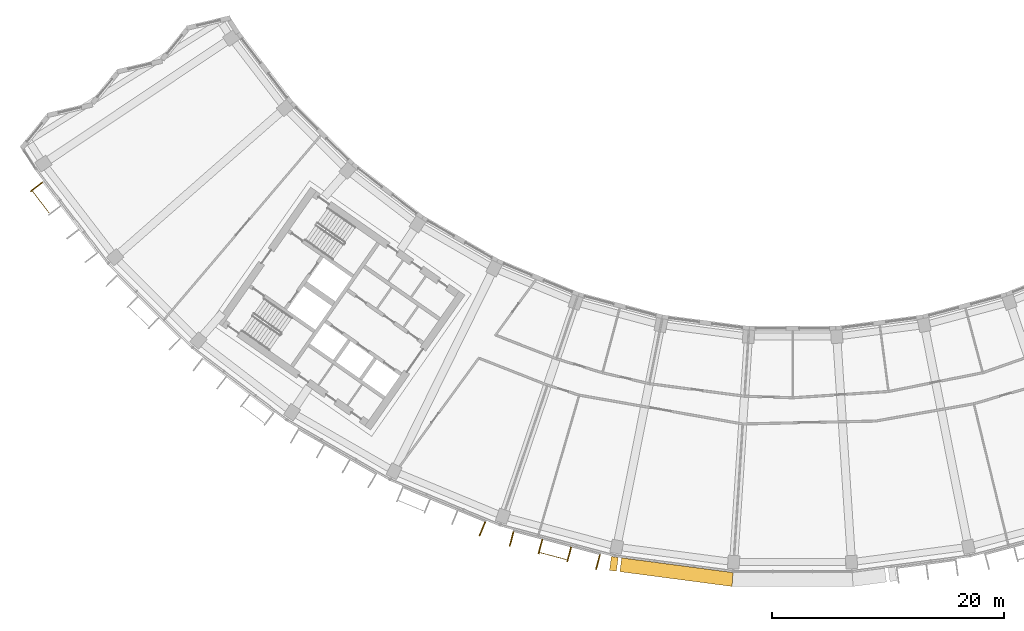
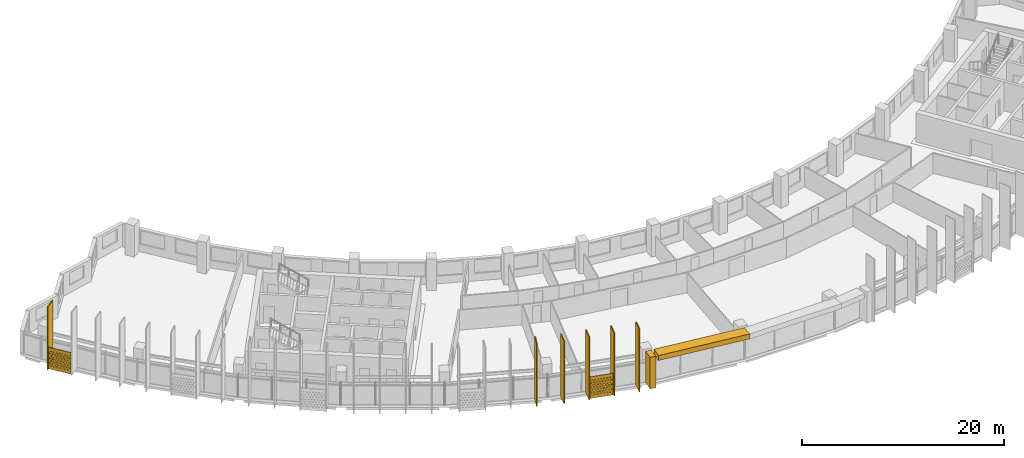
# One storey, part 25 of 28: 10 shading devices.
"""IFC4 building model written with IfcOpenShell, lengths in metres."""

from ifc_helpers import new_model, si_unit, direction, frame, origin, origin_2d, place, context, subcontext, project, spatial, polyline, rectangle, outline, extrude, material, material_profile, profile_set, type_object, element, save


model = new_model("IFC4")

# Units and contexts
model_context = context("Model", 3, precision=1e-05, world=origin(), true_north=direction((0.0, 1.0)))
body_context = subcontext(model_context, "Body", "Model", "MODEL_VIEW")
ifc_project = project(units=[si_unit("LENGTHUNIT", "METRE"), si_unit("AREAUNIT", "SQUARE_METRE"), si_unit("VOLUMEUNIT", "CUBIC_METRE"), si_unit("PLANEANGLEUNIT", "RADIAN"), si_unit("MASSUNIT", "GRAM", prefix="KILO")], contexts=[model_context])

# Site, building, storey
site_placement = place(None, origin())
site = spatial("IfcSite", under=ifc_project, at=site_placement, CompositionType="ELEMENT")
building_placement = place(site_placement, origin())
building = spatial("IfcBuilding", under=site, at=building_placement, Name="Qamariyya Broadcast Tower", CompositionType="ELEMENT")
storey_placement = place(building_placement, frame((0.0, 0.0, 218.89990234375)))
storey = spatial("IfcBuildingStorey", under=building, at=storey_placement, Name="L52", CompositionType="ELEMENT", Elevation=218.89990234375)

# Shading devices
ifc_material_1 = material(Name="Steel S355 powder coated deep red", Category="steel")
shading_device_type_1 = type_object("IfcShadingDeviceType", Name="Deep red frame, powder coated steel box section", PredefinedType="USERDEFINED", material=ifc_material_1)
shading_device_1_placement = place(storey_placement, origin())
element("IfcShadingDevice", 1, at=shading_device_1_placement, inside=storey, type_object=shading_device_type_1, Name="e-frm-B4-F2-posta-L52", ObjectType="FRAME", PredefinedType="USERDEFINED", context=body_context, shape_type="SweptSolid", body=[
    extrude(outline(polyline([(-15.641357421875, -77.099609375), (-15.7978515625, -78.289306640625), (-15.203125, -78.36767578125), (-15.04638671875, -77.177978515625), (-15.641357421875, -77.099609375)])), origin(), (0.0, 0.0, 1.0), 3.800048828125),
])
shading_device_2_placement = place(storey_placement, frame((0.0, 0.0, 3.2001953125)))
element("IfcShadingDevice", 2, at=shading_device_2_placement, inside=storey, type_object=shading_device_type_1, Name="e-frm-B4-F2-top0", ObjectType="FRAME", PredefinedType="USERDEFINED", context=body_context, shape_type="SweptSolid", body=[
    extrude(outline(polyline([(-14.7490234375, -77.217041015625), (-14.905517578125, -78.40673828125), (-5.22265625, -79.681640625), (-5.14404296875, -78.481689453125), (-14.7490234375, -77.217041015625)])), origin(), (0.0, 0.0, 1.0), 0.599853515625),
])
ifc_material_2 = material(Name="Perforated glazed terracotta", Category="masonry")
ifc_material_profile_1 = material_profile(ifc_material_2, outline(polyline([(-1.199951171875, -1.300048828125), (1.199951171875, -1.300048828125), (1.199951171875, 1.300048828125), (-1.199951171875, 1.300048828125), (-1.199951171875, -1.300048828125)]), holes=[polyline([(-0.81494140625, -0.86669921875), (-0.89990234375, -0.78173828125), (-0.985107421875, -0.86669921875), (-0.89990234375, -0.95166015625), (-0.81494140625, -0.86669921875)]), polyline([(-0.514892578125, -0.86669921875), (-0.60009765625, -0.78173828125), (-0.68505859375, -0.86669921875), (-0.60009765625, -0.95166015625), (-0.514892578125, -0.86669921875)]), polyline([(-0.215087890625, -0.86669921875), (-0.300048828125, -0.78173828125), (-0.385009765625, -0.86669921875), (-0.300048828125, -0.95166015625), (-0.215087890625, -0.86669921875)]), polyline([(0.0849609375, -0.86669921875), (0.0, -0.78173828125), (-0.0849609375, -0.86669921875), (0.0, -0.95166015625), (0.0849609375, -0.86669921875)]), polyline([(0.385009765625, -0.86669921875), (0.300048828125, -0.78173828125), (0.215087890625, -0.86669921875), (0.300048828125, -0.95166015625), (0.385009765625, -0.86669921875)]), polyline([(0.68505859375, -0.86669921875), (0.60009765625, -0.78173828125), (0.514892578125, -0.86669921875), (0.60009765625, -0.95166015625), (0.68505859375, -0.86669921875)]), polyline([(0.985107421875, -0.86669921875), (0.89990234375, -0.78173828125), (0.81494140625, -0.86669921875), (0.89990234375, -0.95166015625), (0.985107421875, -0.86669921875)]), polyline([(-0.965087890625, -0.577880859375), (-1.050048828125, -0.49267578125), (-1.135009765625, -0.577880859375), (-1.050048828125, -0.662841796875), (-0.965087890625, -0.577880859375)]), polyline([(-0.6650390625, -0.577880859375), (-0.75, -0.49267578125), (-0.8349609375, -0.577880859375), (-0.75, -0.662841796875), (-0.6650390625, -0.577880859375)]), polyline([(-0.364990234375, -0.577880859375), (-0.449951171875, -0.49267578125), (-0.534912109375, -0.577880859375), (-0.449951171875, -0.662841796875), (-0.364990234375, -0.577880859375)]), polyline([(-0.06494140625, -0.577880859375), (-0.14990234375, -0.49267578125), (-0.235107421875, -0.577880859375), (-0.14990234375, -0.662841796875), (-0.06494140625, -0.577880859375)]), polyline([(0.235107421875, -0.577880859375), (0.14990234375, -0.49267578125), (0.06494140625, -0.577880859375), (0.14990234375, -0.662841796875), (0.235107421875, -0.577880859375)]), polyline([(0.534912109375, -0.577880859375), (0.449951171875, -0.49267578125), (0.364990234375, -0.577880859375), (0.449951171875, -0.662841796875), (0.534912109375, -0.577880859375)]), polyline([(0.8349609375, -0.577880859375), (0.75, -0.49267578125), (0.6650390625, -0.577880859375), (0.75, -0.662841796875), (0.8349609375, -0.577880859375)]), polyline([(1.135009765625, -0.577880859375), (1.050048828125, -0.49267578125), (0.965087890625, -0.577880859375), (1.050048828125, -0.662841796875), (1.135009765625, -0.577880859375)]), polyline([(-0.81494140625, -0.288818359375), (-0.89990234375, -0.203857421875), (-0.985107421875, -0.288818359375), (-0.89990234375, -0.373779296875), (-0.81494140625, -0.288818359375)]), polyline([(-0.514892578125, -0.288818359375), (-0.60009765625, -0.203857421875), (-0.68505859375, -0.288818359375), (-0.60009765625, -0.373779296875), (-0.514892578125, -0.288818359375)]), polyline([(-0.215087890625, -0.288818359375), (-0.300048828125, -0.203857421875), (-0.385009765625, -0.288818359375), (-0.300048828125, -0.373779296875), (-0.215087890625, -0.288818359375)]), polyline([(0.0849609375, -0.288818359375), (0.0, -0.203857421875), (-0.0849609375, -0.288818359375), (0.0, -0.373779296875), (0.0849609375, -0.288818359375)]), polyline([(0.385009765625, -0.288818359375), (0.300048828125, -0.203857421875), (0.215087890625, -0.288818359375), (0.300048828125, -0.373779296875), (0.385009765625, -0.288818359375)]), polyline([(0.68505859375, -0.288818359375), (0.60009765625, -0.203857421875), (0.514892578125, -0.288818359375), (0.60009765625, -0.373779296875), (0.68505859375, -0.288818359375)]), polyline([(0.985107421875, -0.288818359375), (0.89990234375, -0.203857421875), (0.81494140625, -0.288818359375), (0.89990234375, -0.373779296875), (0.985107421875, -0.288818359375)]), polyline([(-0.965087890625, 0.0), (-1.050048828125, 0.0849609375), (-1.135009765625, 0.0), (-1.050048828125, -0.0849609375), (-0.965087890625, 0.0)]), polyline([(-0.6650390625, 0.0), (-0.75, 0.0849609375), (-0.8349609375, 0.0), (-0.75, -0.0849609375), (-0.6650390625, 0.0)]), polyline([(-0.364990234375, 0.0), (-0.449951171875, 0.0849609375), (-0.534912109375, 0.0), (-0.449951171875, -0.0849609375), (-0.364990234375, 0.0)]), polyline([(-0.06494140625, 0.0), (-0.14990234375, 0.0849609375), (-0.235107421875, 0.0), (-0.14990234375, -0.0849609375), (-0.06494140625, 0.0)]), polyline([(0.235107421875, 0.0), (0.14990234375, 0.0849609375), (0.06494140625, 0.0), (0.14990234375, -0.0849609375), (0.235107421875, 0.0)]), polyline([(0.534912109375, 0.0), (0.449951171875, 0.0849609375), (0.364990234375, 0.0), (0.449951171875, -0.0849609375), (0.534912109375, 0.0)]), polyline([(0.8349609375, 0.0), (0.75, 0.0849609375), (0.6650390625, 0.0), (0.75, -0.0849609375), (0.8349609375, 0.0)]), polyline([(1.135009765625, 0.0), (1.050048828125, 0.0849609375), (0.965087890625, 0.0), (1.050048828125, -0.0849609375), (1.135009765625, 0.0)]), polyline([(-0.81494140625, 0.288818359375), (-0.89990234375, 0.373779296875), (-0.985107421875, 0.288818359375), (-0.89990234375, 0.203857421875), (-0.81494140625, 0.288818359375)]), polyline([(-0.514892578125, 0.288818359375), (-0.60009765625, 0.373779296875), (-0.68505859375, 0.288818359375), (-0.60009765625, 0.203857421875), (-0.514892578125, 0.288818359375)]), polyline([(-0.215087890625, 0.288818359375), (-0.300048828125, 0.373779296875), (-0.385009765625, 0.288818359375), (-0.300048828125, 0.203857421875), (-0.215087890625, 0.288818359375)]), polyline([(0.0849609375, 0.288818359375), (0.0, 0.373779296875), (-0.0849609375, 0.288818359375), (0.0, 0.203857421875), (0.0849609375, 0.288818359375)]), polyline([(0.385009765625, 0.288818359375), (0.300048828125, 0.373779296875), (0.215087890625, 0.288818359375), (0.300048828125, 0.203857421875), (0.385009765625, 0.288818359375)]), polyline([(0.68505859375, 0.288818359375), (0.60009765625, 0.373779296875), (0.514892578125, 0.288818359375), (0.60009765625, 0.203857421875), (0.68505859375, 0.288818359375)]), polyline([(0.985107421875, 0.288818359375), (0.89990234375, 0.373779296875), (0.81494140625, 0.288818359375), (0.89990234375, 0.203857421875), (0.985107421875, 0.288818359375)]), polyline([(-0.965087890625, 0.577880859375), (-1.050048828125, 0.662841796875), (-1.135009765625, 0.577880859375), (-1.050048828125, 0.49267578125), (-0.965087890625, 0.577880859375)]), polyline([(-0.6650390625, 0.577880859375), (-0.75, 0.662841796875), (-0.8349609375, 0.577880859375), (-0.75, 0.49267578125), (-0.6650390625, 0.577880859375)]), polyline([(-0.364990234375, 0.577880859375), (-0.449951171875, 0.662841796875), (-0.534912109375, 0.577880859375), (-0.449951171875, 0.49267578125), (-0.364990234375, 0.577880859375)]), polyline([(-0.06494140625, 0.577880859375), (-0.14990234375, 0.662841796875), (-0.235107421875, 0.577880859375), (-0.14990234375, 0.49267578125), (-0.06494140625, 0.577880859375)]), polyline([(0.235107421875, 0.577880859375), (0.14990234375, 0.662841796875), (0.06494140625, 0.577880859375), (0.14990234375, 0.49267578125), (0.235107421875, 0.577880859375)]), polyline([(0.534912109375, 0.577880859375), (0.449951171875, 0.662841796875), (0.364990234375, 0.577880859375), (0.449951171875, 0.49267578125), (0.534912109375, 0.577880859375)]), polyline([(0.8349609375, 0.577880859375), (0.75, 0.662841796875), (0.6650390625, 0.577880859375), (0.75, 0.49267578125), (0.8349609375, 0.577880859375)]), polyline([(1.135009765625, 0.577880859375), (1.050048828125, 0.662841796875), (0.965087890625, 0.577880859375), (1.050048828125, 0.49267578125), (1.135009765625, 0.577880859375)]), polyline([(-0.81494140625, 0.86669921875), (-0.89990234375, 0.95166015625), (-0.985107421875, 0.86669921875), (-0.89990234375, 0.78173828125), (-0.81494140625, 0.86669921875)]), polyline([(-0.514892578125, 0.86669921875), (-0.60009765625, 0.95166015625), (-0.68505859375, 0.86669921875), (-0.60009765625, 0.78173828125), (-0.514892578125, 0.86669921875)]), polyline([(-0.215087890625, 0.86669921875), (-0.300048828125, 0.95166015625), (-0.385009765625, 0.86669921875), (-0.300048828125, 0.78173828125), (-0.215087890625, 0.86669921875)]), polyline([(0.0849609375, 0.86669921875), (0.0, 0.95166015625), (-0.0849609375, 0.86669921875), (0.0, 0.78173828125), (0.0849609375, 0.86669921875)]), polyline([(0.385009765625, 0.86669921875), (0.300048828125, 0.95166015625), (0.215087890625, 0.86669921875), (0.300048828125, 0.78173828125), (0.385009765625, 0.86669921875)]), polyline([(0.68505859375, 0.86669921875), (0.60009765625, 0.95166015625), (0.514892578125, 0.86669921875), (0.60009765625, 0.78173828125), (0.68505859375, 0.86669921875)]), polyline([(0.985107421875, 0.86669921875), (0.89990234375, 0.95166015625), (0.81494140625, 0.86669921875), (0.89990234375, 0.78173828125), (0.985107421875, 0.86669921875)])]))
ifc_profile_set_1 = profile_set([ifc_material_profile_1], Name="Perforated glazed terracotta")
shading_device_type_2 = type_object("IfcShadingDeviceType", Name="Perforated terracotta screen 2400 x 2600", PredefinedType="USERDEFINED", material=ifc_profile_set_1)
shading_device_3_placement = place(storey_placement, frame((-64.85888671875, -46.480712890625, 1.35009765625), z_axis=(-0.794589096806, -0.607147566278, 0.0), x_axis=(0.607147566278, -0.794589096806, 0.0)))
element("IfcShadingDevice", 3, at=shading_device_3_placement, inside=storey, type_object=shading_device_type_2, Name="e-scr-L52-01-0", ObjectType="SCREEN", PredefinedType="USERDEFINED", context=body_context, shape_type="SweptSolid", body=[
    extrude(outline(polyline([(-1.199951171875, -1.300048828125), (1.199951171875, -1.300048828125), (1.199951171875, 1.300048828125), (-1.199951171875, 1.300048828125), (-1.199951171875, -1.300048828125)]), holes=[polyline([(-0.81494140625, -0.86669921875), (-0.89990234375, -0.78173828125), (-0.985107421875, -0.86669921875), (-0.89990234375, -0.95166015625), (-0.81494140625, -0.86669921875)]), polyline([(-0.514892578125, -0.86669921875), (-0.60009765625, -0.78173828125), (-0.68505859375, -0.86669921875), (-0.60009765625, -0.95166015625), (-0.514892578125, -0.86669921875)]), polyline([(-0.215087890625, -0.86669921875), (-0.300048828125, -0.78173828125), (-0.385009765625, -0.86669921875), (-0.300048828125, -0.95166015625), (-0.215087890625, -0.86669921875)]), polyline([(0.0849609375, -0.86669921875), (0.0, -0.78173828125), (-0.0849609375, -0.86669921875), (0.0, -0.95166015625), (0.0849609375, -0.86669921875)]), polyline([(0.385009765625, -0.86669921875), (0.300048828125, -0.78173828125), (0.215087890625, -0.86669921875), (0.300048828125, -0.95166015625), (0.385009765625, -0.86669921875)]), polyline([(0.68505859375, -0.86669921875), (0.60009765625, -0.78173828125), (0.514892578125, -0.86669921875), (0.60009765625, -0.95166015625), (0.68505859375, -0.86669921875)]), polyline([(0.985107421875, -0.86669921875), (0.89990234375, -0.78173828125), (0.81494140625, -0.86669921875), (0.89990234375, -0.95166015625), (0.985107421875, -0.86669921875)]), polyline([(-0.965087890625, -0.577880859375), (-1.050048828125, -0.49267578125), (-1.135009765625, -0.577880859375), (-1.050048828125, -0.662841796875), (-0.965087890625, -0.577880859375)]), polyline([(-0.6650390625, -0.577880859375), (-0.75, -0.49267578125), (-0.8349609375, -0.577880859375), (-0.75, -0.662841796875), (-0.6650390625, -0.577880859375)]), polyline([(-0.364990234375, -0.577880859375), (-0.449951171875, -0.49267578125), (-0.534912109375, -0.577880859375), (-0.449951171875, -0.662841796875), (-0.364990234375, -0.577880859375)]), polyline([(-0.06494140625, -0.577880859375), (-0.14990234375, -0.49267578125), (-0.235107421875, -0.577880859375), (-0.14990234375, -0.662841796875), (-0.06494140625, -0.577880859375)]), polyline([(0.235107421875, -0.577880859375), (0.14990234375, -0.49267578125), (0.06494140625, -0.577880859375), (0.14990234375, -0.662841796875), (0.235107421875, -0.577880859375)]), polyline([(0.534912109375, -0.577880859375), (0.449951171875, -0.49267578125), (0.364990234375, -0.577880859375), (0.449951171875, -0.662841796875), (0.534912109375, -0.577880859375)]), polyline([(0.8349609375, -0.577880859375), (0.75, -0.49267578125), (0.6650390625, -0.577880859375), (0.75, -0.662841796875), (0.8349609375, -0.577880859375)]), polyline([(1.135009765625, -0.577880859375), (1.050048828125, -0.49267578125), (0.965087890625, -0.577880859375), (1.050048828125, -0.662841796875), (1.135009765625, -0.577880859375)]), polyline([(-0.81494140625, -0.288818359375), (-0.89990234375, -0.203857421875), (-0.985107421875, -0.288818359375), (-0.89990234375, -0.373779296875), (-0.81494140625, -0.288818359375)]), polyline([(-0.514892578125, -0.288818359375), (-0.60009765625, -0.203857421875), (-0.68505859375, -0.288818359375), (-0.60009765625, -0.373779296875), (-0.514892578125, -0.288818359375)]), polyline([(-0.215087890625, -0.288818359375), (-0.300048828125, -0.203857421875), (-0.385009765625, -0.288818359375), (-0.300048828125, -0.373779296875), (-0.215087890625, -0.288818359375)]), polyline([(0.0849609375, -0.288818359375), (0.0, -0.203857421875), (-0.0849609375, -0.288818359375), (0.0, -0.373779296875), (0.0849609375, -0.288818359375)]), polyline([(0.385009765625, -0.288818359375), (0.300048828125, -0.203857421875), (0.215087890625, -0.288818359375), (0.300048828125, -0.373779296875), (0.385009765625, -0.288818359375)]), polyline([(0.68505859375, -0.288818359375), (0.60009765625, -0.203857421875), (0.514892578125, -0.288818359375), (0.60009765625, -0.373779296875), (0.68505859375, -0.288818359375)]), polyline([(0.985107421875, -0.288818359375), (0.89990234375, -0.203857421875), (0.81494140625, -0.288818359375), (0.89990234375, -0.373779296875), (0.985107421875, -0.288818359375)]), polyline([(-0.965087890625, 0.0), (-1.050048828125, 0.0849609375), (-1.135009765625, 0.0), (-1.050048828125, -0.0849609375), (-0.965087890625, 0.0)]), polyline([(-0.6650390625, 0.0), (-0.75, 0.0849609375), (-0.8349609375, 0.0), (-0.75, -0.0849609375), (-0.6650390625, 0.0)]), polyline([(-0.364990234375, 0.0), (-0.449951171875, 0.0849609375), (-0.534912109375, 0.0), (-0.449951171875, -0.0849609375), (-0.364990234375, 0.0)]), polyline([(-0.06494140625, 0.0), (-0.14990234375, 0.0849609375), (-0.235107421875, 0.0), (-0.14990234375, -0.0849609375), (-0.06494140625, 0.0)]), polyline([(0.235107421875, 0.0), (0.14990234375, 0.0849609375), (0.06494140625, 0.0), (0.14990234375, -0.0849609375), (0.235107421875, 0.0)]), polyline([(0.534912109375, 0.0), (0.449951171875, 0.0849609375), (0.364990234375, 0.0), (0.449951171875, -0.0849609375), (0.534912109375, 0.0)]), polyline([(0.8349609375, 0.0), (0.75, 0.0849609375), (0.6650390625, 0.0), (0.75, -0.0849609375), (0.8349609375, 0.0)]), polyline([(1.135009765625, 0.0), (1.050048828125, 0.0849609375), (0.965087890625, 0.0), (1.050048828125, -0.0849609375), (1.135009765625, 0.0)]), polyline([(-0.81494140625, 0.288818359375), (-0.89990234375, 0.373779296875), (-0.985107421875, 0.288818359375), (-0.89990234375, 0.203857421875), (-0.81494140625, 0.288818359375)]), polyline([(-0.514892578125, 0.288818359375), (-0.60009765625, 0.373779296875), (-0.68505859375, 0.288818359375), (-0.60009765625, 0.203857421875), (-0.514892578125, 0.288818359375)]), polyline([(-0.215087890625, 0.288818359375), (-0.300048828125, 0.373779296875), (-0.385009765625, 0.288818359375), (-0.300048828125, 0.203857421875), (-0.215087890625, 0.288818359375)]), polyline([(0.0849609375, 0.288818359375), (0.0, 0.373779296875), (-0.0849609375, 0.288818359375), (0.0, 0.203857421875), (0.0849609375, 0.288818359375)]), polyline([(0.385009765625, 0.288818359375), (0.300048828125, 0.373779296875), (0.215087890625, 0.288818359375), (0.300048828125, 0.203857421875), (0.385009765625, 0.288818359375)]), polyline([(0.68505859375, 0.288818359375), (0.60009765625, 0.373779296875), (0.514892578125, 0.288818359375), (0.60009765625, 0.203857421875), (0.68505859375, 0.288818359375)]), polyline([(0.985107421875, 0.288818359375), (0.89990234375, 0.373779296875), (0.81494140625, 0.288818359375), (0.89990234375, 0.203857421875), (0.985107421875, 0.288818359375)]), polyline([(-0.965087890625, 0.577880859375), (-1.050048828125, 0.662841796875), (-1.135009765625, 0.577880859375), (-1.050048828125, 0.49267578125), (-0.965087890625, 0.577880859375)]), polyline([(-0.6650390625, 0.577880859375), (-0.75, 0.662841796875), (-0.8349609375, 0.577880859375), (-0.75, 0.49267578125), (-0.6650390625, 0.577880859375)]), polyline([(-0.364990234375, 0.577880859375), (-0.449951171875, 0.662841796875), (-0.534912109375, 0.577880859375), (-0.449951171875, 0.49267578125), (-0.364990234375, 0.577880859375)]), polyline([(-0.06494140625, 0.577880859375), (-0.14990234375, 0.662841796875), (-0.235107421875, 0.577880859375), (-0.14990234375, 0.49267578125), (-0.06494140625, 0.577880859375)]), polyline([(0.235107421875, 0.577880859375), (0.14990234375, 0.662841796875), (0.06494140625, 0.577880859375), (0.14990234375, 0.49267578125), (0.235107421875, 0.577880859375)]), polyline([(0.534912109375, 0.577880859375), (0.449951171875, 0.662841796875), (0.364990234375, 0.577880859375), (0.449951171875, 0.49267578125), (0.534912109375, 0.577880859375)]), polyline([(0.8349609375, 0.577880859375), (0.75, 0.662841796875), (0.6650390625, 0.577880859375), (0.75, 0.49267578125), (0.8349609375, 0.577880859375)]), polyline([(1.135009765625, 0.577880859375), (1.050048828125, 0.662841796875), (0.965087890625, 0.577880859375), (1.050048828125, 0.49267578125), (1.135009765625, 0.577880859375)]), polyline([(-0.81494140625, 0.86669921875), (-0.89990234375, 0.95166015625), (-0.985107421875, 0.86669921875), (-0.89990234375, 0.78173828125), (-0.81494140625, 0.86669921875)]), polyline([(-0.514892578125, 0.86669921875), (-0.60009765625, 0.95166015625), (-0.68505859375, 0.86669921875), (-0.60009765625, 0.78173828125), (-0.514892578125, 0.86669921875)]), polyline([(-0.215087890625, 0.86669921875), (-0.300048828125, 0.95166015625), (-0.385009765625, 0.86669921875), (-0.300048828125, 0.78173828125), (-0.215087890625, 0.86669921875)]), polyline([(0.0849609375, 0.86669921875), (0.0, 0.95166015625), (-0.0849609375, 0.86669921875), (0.0, 0.78173828125), (0.0849609375, 0.86669921875)]), polyline([(0.385009765625, 0.86669921875), (0.300048828125, 0.95166015625), (0.215087890625, 0.86669921875), (0.300048828125, 0.78173828125), (0.385009765625, 0.86669921875)]), polyline([(0.68505859375, 0.86669921875), (0.60009765625, 0.95166015625), (0.514892578125, 0.86669921875), (0.60009765625, 0.78173828125), (0.68505859375, 0.86669921875)]), polyline([(0.985107421875, 0.86669921875), (0.89990234375, 0.95166015625), (0.81494140625, 0.86669921875), (0.89990234375, 0.78173828125), (0.985107421875, 0.86669921875)])]), origin(), (0.0, 0.0, 1.0), 0.059814453125),
])
shading_device_4_placement = place(storey_placement, frame((-20.676025390625, -77.02490234375, 1.35009765625), z_axis=(-0.256901156343, -0.966437683387, 0.0), x_axis=(0.966437683387, -0.256901156343, 0.0)))
element("IfcShadingDevice", 4, at=shading_device_4_placement, inside=storey, type_object=shading_device_type_2, Name="e-scr-L52-06-1", ObjectType="SCREEN", PredefinedType="USERDEFINED", context=body_context, shape_type="SweptSolid", body=[
    extrude(outline(polyline([(-1.199951171875, -1.300048828125), (1.199951171875, -1.300048828125), (1.199951171875, 1.300048828125), (-1.199951171875, 1.300048828125), (-1.199951171875, -1.300048828125)]), holes=[polyline([(-0.81494140625, -0.86669921875), (-0.89990234375, -0.78173828125), (-0.985107421875, -0.86669921875), (-0.89990234375, -0.95166015625), (-0.81494140625, -0.86669921875)]), polyline([(-0.514892578125, -0.86669921875), (-0.60009765625, -0.78173828125), (-0.68505859375, -0.86669921875), (-0.60009765625, -0.95166015625), (-0.514892578125, -0.86669921875)]), polyline([(-0.215087890625, -0.86669921875), (-0.300048828125, -0.78173828125), (-0.385009765625, -0.86669921875), (-0.300048828125, -0.95166015625), (-0.215087890625, -0.86669921875)]), polyline([(0.0849609375, -0.86669921875), (0.0, -0.78173828125), (-0.0849609375, -0.86669921875), (0.0, -0.95166015625), (0.0849609375, -0.86669921875)]), polyline([(0.385009765625, -0.86669921875), (0.300048828125, -0.78173828125), (0.215087890625, -0.86669921875), (0.300048828125, -0.95166015625), (0.385009765625, -0.86669921875)]), polyline([(0.68505859375, -0.86669921875), (0.60009765625, -0.78173828125), (0.514892578125, -0.86669921875), (0.60009765625, -0.95166015625), (0.68505859375, -0.86669921875)]), polyline([(0.985107421875, -0.86669921875), (0.89990234375, -0.78173828125), (0.81494140625, -0.86669921875), (0.89990234375, -0.95166015625), (0.985107421875, -0.86669921875)]), polyline([(-0.965087890625, -0.577880859375), (-1.050048828125, -0.49267578125), (-1.135009765625, -0.577880859375), (-1.050048828125, -0.662841796875), (-0.965087890625, -0.577880859375)]), polyline([(-0.6650390625, -0.577880859375), (-0.75, -0.49267578125), (-0.8349609375, -0.577880859375), (-0.75, -0.662841796875), (-0.6650390625, -0.577880859375)]), polyline([(-0.364990234375, -0.577880859375), (-0.449951171875, -0.49267578125), (-0.534912109375, -0.577880859375), (-0.449951171875, -0.662841796875), (-0.364990234375, -0.577880859375)]), polyline([(-0.06494140625, -0.577880859375), (-0.14990234375, -0.49267578125), (-0.235107421875, -0.577880859375), (-0.14990234375, -0.662841796875), (-0.06494140625, -0.577880859375)]), polyline([(0.235107421875, -0.577880859375), (0.14990234375, -0.49267578125), (0.06494140625, -0.577880859375), (0.14990234375, -0.662841796875), (0.235107421875, -0.577880859375)]), polyline([(0.534912109375, -0.577880859375), (0.449951171875, -0.49267578125), (0.364990234375, -0.577880859375), (0.449951171875, -0.662841796875), (0.534912109375, -0.577880859375)]), polyline([(0.8349609375, -0.577880859375), (0.75, -0.49267578125), (0.6650390625, -0.577880859375), (0.75, -0.662841796875), (0.8349609375, -0.577880859375)]), polyline([(1.135009765625, -0.577880859375), (1.050048828125, -0.49267578125), (0.965087890625, -0.577880859375), (1.050048828125, -0.662841796875), (1.135009765625, -0.577880859375)]), polyline([(-0.81494140625, -0.288818359375), (-0.89990234375, -0.203857421875), (-0.985107421875, -0.288818359375), (-0.89990234375, -0.373779296875), (-0.81494140625, -0.288818359375)]), polyline([(-0.514892578125, -0.288818359375), (-0.60009765625, -0.203857421875), (-0.68505859375, -0.288818359375), (-0.60009765625, -0.373779296875), (-0.514892578125, -0.288818359375)]), polyline([(-0.215087890625, -0.288818359375), (-0.300048828125, -0.203857421875), (-0.385009765625, -0.288818359375), (-0.300048828125, -0.373779296875), (-0.215087890625, -0.288818359375)]), polyline([(0.0849609375, -0.288818359375), (0.0, -0.203857421875), (-0.0849609375, -0.288818359375), (0.0, -0.373779296875), (0.0849609375, -0.288818359375)]), polyline([(0.385009765625, -0.288818359375), (0.300048828125, -0.203857421875), (0.215087890625, -0.288818359375), (0.300048828125, -0.373779296875), (0.385009765625, -0.288818359375)]), polyline([(0.68505859375, -0.288818359375), (0.60009765625, -0.203857421875), (0.514892578125, -0.288818359375), (0.60009765625, -0.373779296875), (0.68505859375, -0.288818359375)]), polyline([(0.985107421875, -0.288818359375), (0.89990234375, -0.203857421875), (0.81494140625, -0.288818359375), (0.89990234375, -0.373779296875), (0.985107421875, -0.288818359375)]), polyline([(-0.965087890625, 0.0), (-1.050048828125, 0.0849609375), (-1.135009765625, 0.0), (-1.050048828125, -0.0849609375), (-0.965087890625, 0.0)]), polyline([(-0.6650390625, 0.0), (-0.75, 0.0849609375), (-0.8349609375, 0.0), (-0.75, -0.0849609375), (-0.6650390625, 0.0)]), polyline([(-0.364990234375, 0.0), (-0.449951171875, 0.0849609375), (-0.534912109375, 0.0), (-0.449951171875, -0.0849609375), (-0.364990234375, 0.0)]), polyline([(-0.06494140625, 0.0), (-0.14990234375, 0.0849609375), (-0.235107421875, 0.0), (-0.14990234375, -0.0849609375), (-0.06494140625, 0.0)]), polyline([(0.235107421875, 0.0), (0.14990234375, 0.0849609375), (0.06494140625, 0.0), (0.14990234375, -0.0849609375), (0.235107421875, 0.0)]), polyline([(0.534912109375, 0.0), (0.449951171875, 0.0849609375), (0.364990234375, 0.0), (0.449951171875, -0.0849609375), (0.534912109375, 0.0)]), polyline([(0.8349609375, 0.0), (0.75, 0.0849609375), (0.6650390625, 0.0), (0.75, -0.0849609375), (0.8349609375, 0.0)]), polyline([(1.135009765625, 0.0), (1.050048828125, 0.0849609375), (0.965087890625, 0.0), (1.050048828125, -0.0849609375), (1.135009765625, 0.0)]), polyline([(-0.81494140625, 0.288818359375), (-0.89990234375, 0.373779296875), (-0.985107421875, 0.288818359375), (-0.89990234375, 0.203857421875), (-0.81494140625, 0.288818359375)]), polyline([(-0.514892578125, 0.288818359375), (-0.60009765625, 0.373779296875), (-0.68505859375, 0.288818359375), (-0.60009765625, 0.203857421875), (-0.514892578125, 0.288818359375)]), polyline([(-0.215087890625, 0.288818359375), (-0.300048828125, 0.373779296875), (-0.385009765625, 0.288818359375), (-0.300048828125, 0.203857421875), (-0.215087890625, 0.288818359375)]), polyline([(0.0849609375, 0.288818359375), (0.0, 0.373779296875), (-0.0849609375, 0.288818359375), (0.0, 0.203857421875), (0.0849609375, 0.288818359375)]), polyline([(0.385009765625, 0.288818359375), (0.300048828125, 0.373779296875), (0.215087890625, 0.288818359375), (0.300048828125, 0.203857421875), (0.385009765625, 0.288818359375)]), polyline([(0.68505859375, 0.288818359375), (0.60009765625, 0.373779296875), (0.514892578125, 0.288818359375), (0.60009765625, 0.203857421875), (0.68505859375, 0.288818359375)]), polyline([(0.985107421875, 0.288818359375), (0.89990234375, 0.373779296875), (0.81494140625, 0.288818359375), (0.89990234375, 0.203857421875), (0.985107421875, 0.288818359375)]), polyline([(-0.965087890625, 0.577880859375), (-1.050048828125, 0.662841796875), (-1.135009765625, 0.577880859375), (-1.050048828125, 0.49267578125), (-0.965087890625, 0.577880859375)]), polyline([(-0.6650390625, 0.577880859375), (-0.75, 0.662841796875), (-0.8349609375, 0.577880859375), (-0.75, 0.49267578125), (-0.6650390625, 0.577880859375)]), polyline([(-0.364990234375, 0.577880859375), (-0.449951171875, 0.662841796875), (-0.534912109375, 0.577880859375), (-0.449951171875, 0.49267578125), (-0.364990234375, 0.577880859375)]), polyline([(-0.06494140625, 0.577880859375), (-0.14990234375, 0.662841796875), (-0.235107421875, 0.577880859375), (-0.14990234375, 0.49267578125), (-0.06494140625, 0.577880859375)]), polyline([(0.235107421875, 0.577880859375), (0.14990234375, 0.662841796875), (0.06494140625, 0.577880859375), (0.14990234375, 0.49267578125), (0.235107421875, 0.577880859375)]), polyline([(0.534912109375, 0.577880859375), (0.449951171875, 0.662841796875), (0.364990234375, 0.577880859375), (0.449951171875, 0.49267578125), (0.534912109375, 0.577880859375)]), polyline([(0.8349609375, 0.577880859375), (0.75, 0.662841796875), (0.6650390625, 0.577880859375), (0.75, 0.49267578125), (0.8349609375, 0.577880859375)]), polyline([(1.135009765625, 0.577880859375), (1.050048828125, 0.662841796875), (0.965087890625, 0.577880859375), (1.050048828125, 0.49267578125), (1.135009765625, 0.577880859375)]), polyline([(-0.81494140625, 0.86669921875), (-0.89990234375, 0.95166015625), (-0.985107421875, 0.86669921875), (-0.89990234375, 0.78173828125), (-0.81494140625, 0.86669921875)]), polyline([(-0.514892578125, 0.86669921875), (-0.60009765625, 0.95166015625), (-0.68505859375, 0.86669921875), (-0.60009765625, 0.78173828125), (-0.514892578125, 0.86669921875)]), polyline([(-0.215087890625, 0.86669921875), (-0.300048828125, 0.95166015625), (-0.385009765625, 0.86669921875), (-0.300048828125, 0.78173828125), (-0.215087890625, 0.86669921875)]), polyline([(0.0849609375, 0.86669921875), (0.0, 0.95166015625), (-0.0849609375, 0.86669921875), (0.0, 0.78173828125), (0.0849609375, 0.86669921875)]), polyline([(0.385009765625, 0.86669921875), (0.300048828125, 0.95166015625), (0.215087890625, 0.86669921875), (0.300048828125, 0.78173828125), (0.385009765625, 0.86669921875)]), polyline([(0.68505859375, 0.86669921875), (0.60009765625, 0.95166015625), (0.514892578125, 0.86669921875), (0.60009765625, 0.78173828125), (0.68505859375, 0.86669921875)]), polyline([(0.985107421875, 0.86669921875), (0.89990234375, 0.95166015625), (0.81494140625, 0.86669921875), (0.89990234375, 0.78173828125), (0.985107421875, 0.86669921875)])]), origin(), (0.0, 0.0, 1.0), 0.059814453125),
])
ifc_material_3 = material(Name="Glazed terracotta", Category="masonry")
ifc_material_profile_2 = material_profile(ifc_material_3, rectangle(XDim=1.300048828125, YDim=0.10009765625, at=origin_2d()))
ifc_profile_set_2 = profile_set([ifc_material_profile_2], Name="Glazed terracotta")
shading_device_type_3 = type_object("IfcShadingDeviceType", Name="Terracotta fin 100 x 1300", PredefinedType="USERDEFINED", material=ifc_profile_set_2)
for number, where, z_axis, x_axis, name in (
    (5, (-65.246826171875, -45.202880859375, 0.0), (0.0, 0.0, 1.0), (-0.793353340291, -0.608761429009, 0.0), "e-fin-L52-01-0"),
    (6, (-26.775390625, -74.72314453125, 0.0), (0.0, 0.0, 1.0), (-0.382683432365, -0.923879532511, 0.0), "e-fin-L52-05-3"),
    (7, (-24.24609375, -75.58154296875, 0.0), (0.0, 0.0, 1.0), (-0.258819045103, -0.965925826289, 0.0), "e-fin-L52-06-0"),
    (8, (-21.76171875, -76.247314453125, 0.0), (0.0, 0.0, 1.0), (-0.258819045103, -0.965925826289, 0.0), "e-fin-L52-06-1"),
    (9, (-19.27734375, -76.9130859375, 0.0), (0.0, 0.0, 1.0), (-0.258819045103, -0.965925826289, 0.0), "e-fin-L52-06-2"),
    (10, (-16.79296875, -77.57861328125, 0.0), (0.0, 0.0, 1.0), (-0.258819045103, -0.965925826289, 0.0), "e-fin-L52-06-3"),
):
    element("IfcShadingDevice", number, at=place(storey_placement, frame(where, z_axis=z_axis, x_axis=x_axis)), inside=storey, type_object=shading_device_type_3, Name=name, ObjectType="FIN", PredefinedType="USERDEFINED", context=body_context, shape_type="SweptSolid", body=[
        extrude(rectangle(XDim=1.300048828125, YDim=0.10009765625, at=origin_2d()), origin(), (0.0, 0.0, 1.0), 7.60009765625),
    ])

save(model, "model.ifc")
